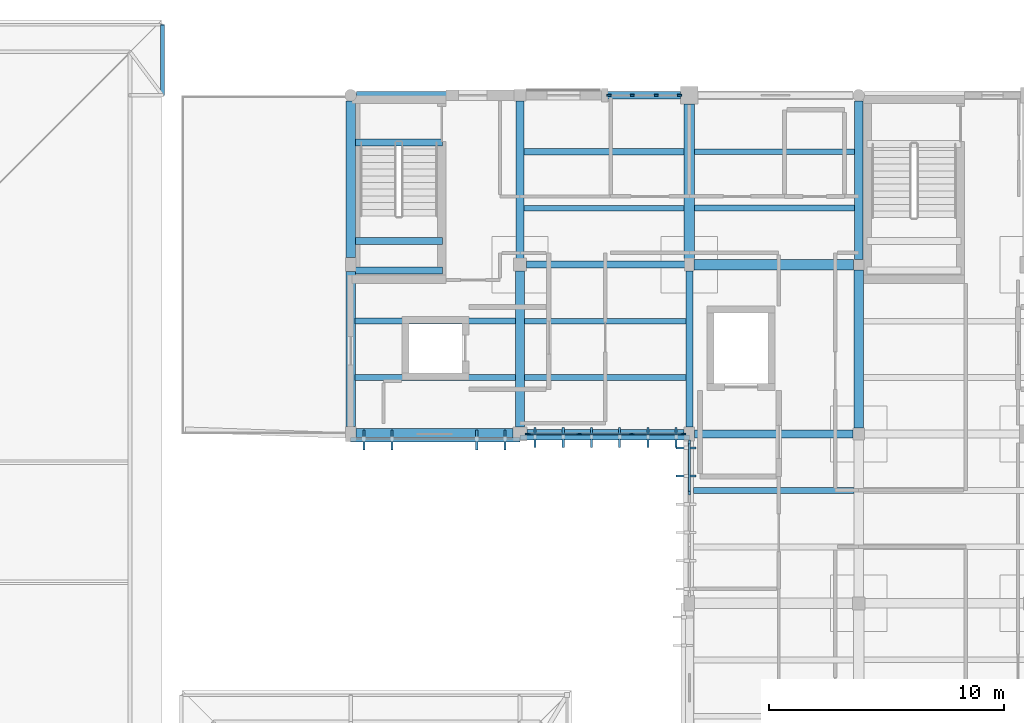
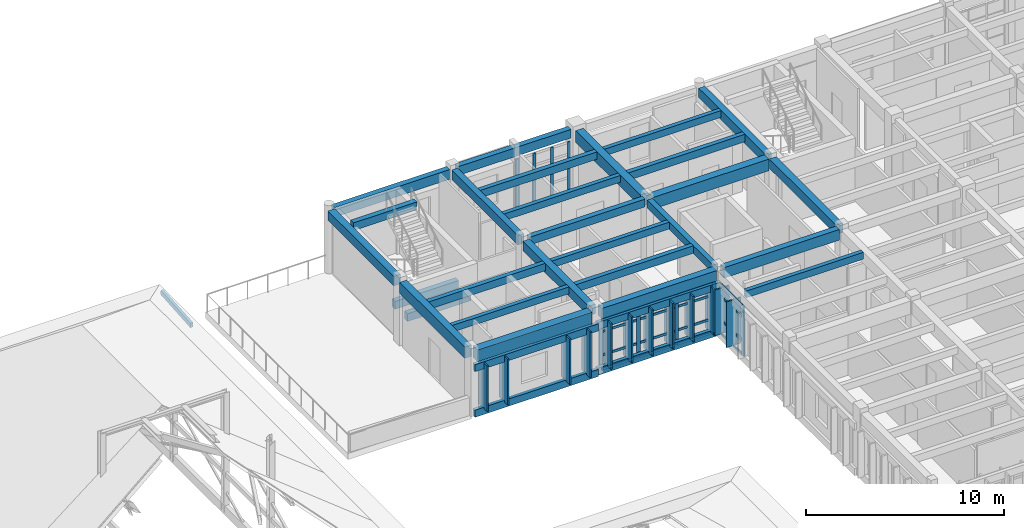
# One storey, part 12 of 51: 39 members, 31 beams, 3 elements without a shape of their own.
"""IFC4 building model written with IfcOpenShell, lengths in metres."""

import ifcopenshell
import ifcopenshell.guid

model = None  # the IFC model being written
_history = None  # IfcOwnerHistory: only IFC2X3 demands one
_inside = {}  # id of a spatial element -> (the spatial element, [elements in it])
_under = {}  # id of a project, library or spatial element -> (it, [spatial elements below it])
_declared = {}  # id of a project -> (the project, [libraries it declares])
_typed = {}  # id of a type object -> (the type object, [elements of that type])
_made_of = {}  # id of a material, layer set ... -> (it, [elements and type objects made of it])


def new_model(schema):
    """Start an empty IFC model of exactly this schema.

    Asked for "IFC4X3", IfcOpenShell would pick the latest addendum, in which some entities
    have other attributes; the version numbers below select the first issue.
    IFC2X3 requires an IfcOwnerHistory on every rooted entity: one is made here for all.
    """
    global model, _history
    if schema == "IFC4X3":
        model = ifcopenshell.file(schema_version=(4, 3, 0, 0))
    else:
        model = ifcopenshell.file(schema=schema)
    _inside.clear()
    _under.clear()
    _declared.clear()
    _typed.clear()
    _made_of.clear()
    _history = None
    if model.schema == "IFC2X3":
        org = make("IfcOrganization", Name="unknown")
        user = make(
            "IfcPersonAndOrganization",
            ThePerson=make("IfcPerson", FamilyName="unknown"),
            TheOrganization=org,
        )
        app = make(
            "IfcApplication",
            ApplicationDeveloper=org,
            Version="unknown",
            ApplicationFullName="unknown",
            ApplicationIdentifier="unknown",
        )
        _history = make(
            "IfcOwnerHistory",
            OwningUser=user,
            OwningApplication=app,
            ChangeAction="ADDED",
            CreationDate=0,
        )
    return model


def make(cls, **values):
    """One entity of the class cls with the attributes given. An attribute that is None is left unset."""
    return model.create_entity(
        cls, **{name: value for name, value in values.items() if value is not None}
    )


def rooted(cls, **values):
    """An entity with a GlobalId (a new one), such as an element, a storey or a relation."""
    return make(cls, GlobalId=ifcopenshell.guid.new(), OwnerHistory=_history, **values)


def si_unit(unit_type, name, prefix=None):
    """IfcSIUnit, for example si_unit("LENGTHUNIT", "METRE", prefix="MILLI")."""
    return make("IfcSIUnit", UnitType=unit_type, Prefix=prefix, Name=name)


def assignment(units):
    """IfcUnitAssignment: the units of a project."""
    return None if units is None else make("IfcUnitAssignment", Units=units)


def point(xyz):
    """IfcCartesianPoint."""
    return None if xyz is None else make("IfcCartesianPoint", Coordinates=xyz)


def direction(xyz):
    """IfcDirection."""
    return None if xyz is None else make("IfcDirection", DirectionRatios=xyz)


def frame(location, z_axis=None, x_axis=None):
    """IfcAxis2Placement3D, a coordinate frame: its origin and axes. An axis left out is left unset."""
    return make(
        "IfcAxis2Placement3D",
        Location=point(location),
        Axis=direction(z_axis),
        RefDirection=direction(x_axis),
    )


def frame_2d(location, x_axis=None):
    """IfcAxis2Placement2D, a coordinate frame in the plane: its origin and x axis."""
    return make(
        "IfcAxis2Placement2D", Location=point(location), RefDirection=direction(x_axis)
    )


def origin():
    """The frame at (0, 0, 0) with its axes left unset."""
    return frame((0.0, 0.0, 0.0))


def origin_2d():
    """The frame at (0, 0) in the plane with its x axis left unset."""
    return frame_2d((0.0, 0.0))


def place(relative_to, where):
    """IfcLocalPlacement: puts the frame where relative to a parent placement (None: the world)."""
    return make(
        "IfcLocalPlacement", PlacementRelTo=relative_to, RelativePlacement=where
    )


def context(
    kind, dimensions, precision=None, world=None, true_north=None, identifier=None
):
    """IfcGeometricRepresentationContext, for example the 3D "Model" context."""
    return make(
        "IfcGeometricRepresentationContext",
        ContextIdentifier=identifier,
        ContextType=kind,
        CoordinateSpaceDimension=dimensions,
        Precision=precision,
        WorldCoordinateSystem=world,
        TrueNorth=true_north,
    )


def subcontext(parent, identifier, kind, view, scale=None):
    """IfcGeometricRepresentationSubContext, for example "Body" below "Model"."""
    return make(
        "IfcGeometricRepresentationSubContext",
        ContextIdentifier=identifier,
        ContextType=kind,
        ParentContext=parent,
        TargetScale=scale,
        TargetView=view,
    )


def project(units=None, contexts=None):
    """IfcProject with its units and contexts."""
    return rooted(
        "IfcProject",
        Name="project",
        RepresentationContexts=contexts,
        UnitsInContext=assignment(units),
    )


def spatial(cls, under=None, at=None, **own):
    """A site, building, storey or space (cls), placed at a placement, below another one or the project."""
    s = rooted(cls, ObjectPlacement=at, **own)
    if under is not None:
        _under.setdefault(under.id(), (under, []))[1].append(s)
    return s


def profile(cls, at=None, kind="AREA", **sizes):
    """A parametric profile (cls). Its sizes go by their IFC names, for example OverallWidth=200.0."""
    return make(cls, ProfileType=kind, Position=at, **sizes)


def rectangle(**sizes):
    """IfcRectangleProfileDef."""
    return profile("IfcRectangleProfileDef", **sizes)


def extrude(swept, where, along, depth):
    """IfcExtrudedAreaSolid: the profile swept, set in the frame where, extruded along a direction by depth."""
    return make(
        "IfcExtrudedAreaSolid",
        SweptArea=swept,
        Position=where,
        ExtrudedDirection=direction(along),
        Depth=depth,
    )


def shape(context_of_items, identifier, shape_type, items):
    """IfcShapeRepresentation: the items that make up one representation, for example the "Body"."""
    return make(
        "IfcShapeRepresentation",
        ContextOfItems=context_of_items,
        RepresentationIdentifier=identifier,
        RepresentationType=shape_type,
        Items=items,
    )


def material(Name=None, Category=None):
    """IfcMaterial."""
    return make("IfcMaterial", Name=Name, Category=Category)


def material_profile(
    of_material, cross_section, Name=None, Category=None, Priority=None
):
    """IfcMaterialProfile: a cross section and its material."""
    return make(
        "IfcMaterialProfile",
        Name=Name,
        Material=of_material,
        Profile=cross_section,
        Priority=Priority,
        Category=Category,
    )


def profile_set(profiles, Name=None, composite=None):
    """IfcMaterialProfileSet."""
    return make(
        "IfcMaterialProfileSet",
        Name=Name,
        MaterialProfiles=profiles,
        CompositeProfile=composite,
    )


def made_of(thing, what):
    """Note that an element or type object is made of a material, layer set ...; save() writes the relation."""
    if what is not None:
        _made_of.setdefault(what.id(), (what, []))[1].append(thing)
    return thing


def type_object(cls, material=None, **own):
    """A type object (cls), such as IfcWallType, which elements share."""
    return made_of(rooted(cls, **own), material)


def element(
    cls,
    number,
    at=None,
    inside=None,
    cuts=None,
    type_object=None,
    material=None,
    context=None,
    identifier="Body",
    shape_type=None,
    held_by="IfcProductDefinitionShape",
    body=None,
    shapes=None,
    **own,
):
    """One element of the class cls, such as IfcWall. Its Tag is "e" and its number.

    at: its placement. inside: the storey or other place that contains it. cuts: it is an
    opening in that element (IfcRelVoidsElement). A single representation is given by context,
    identifier, shape_type and body (its items); several are given by shapes. held_by: the class
    of the entity that holds the representations. save() writes the other relations.
    """
    e = rooted(cls, Tag="e%d" % number, ObjectPlacement=at, **own)
    if body is not None:
        shapes = [shape(context, identifier, shape_type, body)]
    if shapes is not None:
        e.Representation = make(held_by, Representations=shapes)
    if inside is not None:
        _inside.setdefault(inside.id(), (inside, []))[1].append(e)
    if cuts is not None:
        rooted(
            "IfcRelVoidsElement", RelatingBuildingElement=cuts, RelatedOpeningElement=e
        )
    if type_object is not None:
        _typed.setdefault(type_object.id(), (type_object, []))[1].append(e)
    return made_of(e, material)


def aggregate(whole, parts):
    """IfcRelAggregates: a whole, such as a stair, and the parts it consists of."""
    return rooted("IfcRelAggregates", RelatingObject=whole, RelatedObjects=parts)


def save(model, path):
    """Write the relations noted so far, then the file.

    IfcRelAggregates (storeys below a building ...), IfcRelContainedInSpatialStructure (elements
    in a storey), IfcRelDefinesByType, IfcRelAssociatesMaterial and IfcRelDeclares: one each for
    every whole, place, type object, material and project.
    """
    for whole, parts in _under.values():
        aggregate(whole, parts)
    for where, things in _inside.values():
        rooted(
            "IfcRelContainedInSpatialStructure",
            RelatedElements=things,
            RelatingStructure=where,
        )
    for kind, things in _typed.values():
        rooted("IfcRelDefinesByType", RelatedObjects=things, RelatingType=kind)
    for what, things in _made_of.values():
        rooted("IfcRelAssociatesMaterial", RelatedObjects=things, RelatingMaterial=what)
    for by, libraries in _declared.values():
        rooted("IfcRelDeclares", RelatingContext=by, RelatedDefinitions=libraries)
    model.write(path)


model = new_model("IFC4")

# Units and contexts
model_context = context("Model", 3, precision=1e-05, world=origin(), true_north=direction((0.0, 1.0)))
body_context = subcontext(model_context, "Body", "Model", "MODEL_VIEW")
ifc_project = project(units=[si_unit("LENGTHUNIT", "METRE"), si_unit("AREAUNIT", "SQUARE_METRE"), si_unit("VOLUMEUNIT", "CUBIC_METRE"), si_unit("PLANEANGLEUNIT", "RADIAN"), si_unit("MASSUNIT", "GRAM", prefix="KILO")], contexts=[model_context])

# Site, building, storey
site_placement = place(None, origin())
site = spatial("IfcSite", under=ifc_project, at=site_placement, CompositionType="ELEMENT")
building_placement = place(site_placement, origin())
building = spatial("IfcBuilding", under=site, at=building_placement, Name="Steenspoor Specialist Clinic", CompositionType="ELEMENT")
storey_placement = place(building_placement, frame((0.0, 0.0, 17.39990234375)))
storey = spatial("IfcBuildingStorey", under=building, at=storey_placement, Name="L04", CompositionType="ELEMENT", Elevation=17.39990234375)

# Beams
ifc_material_1 = material(Name="Glulam GL28h", Category="wood")
ifc_material_profile_1 = material_profile(ifc_material_1, rectangle(XDim=0.199951171875, YDim=0.43994140625, at=origin_2d()), Name="GL28H-200X440")
ifc_profile_set_1 = profile_set([ifc_material_profile_1], Name="Glulam GL28h")
beam_type_1 = type_object("IfcBeamType", Name="BM-GL-200X440", PredefinedType="BEAM", material=ifc_profile_set_1)
for number, where, z_axis, x_axis, name in (
    (1, (74.0, 93.800048828125, 0.14013671875), (-1.0, 0.0, 0.0), (0.0, -1.0, 0.0), "Timber Screen Tie Rail V4 L04 45"),
    (2, (74.0, 93.800048828125, 2.9501953125), (-1.0, 0.0, 0.0), (0.0, -1.0, 0.0), "Timber Screen Tie Rail V4 L04 46"),
    (3, (66.800048828125, 93.699951171875, 0.14013671875), (-1.0, 0.0, 0.0), (0.0, -1.0, 0.0), "Timber Screen Tie Rail V4 L04 53"),
    (4, (66.800048828125, 93.699951171875, 2.9501953125), (-1.0, 0.0, 0.0), (0.0, -1.0, 0.0), "Timber Screen Tie Rail V4 L04 54"),
):
    element("IfcBeam", number, at=place(storey_placement, frame(where, z_axis=z_axis, x_axis=x_axis)), inside=storey, type_object=beam_type_1, Name=name, PredefinedType="BEAM", context=body_context, shape_type="SweptSolid", body=[
        extrude(rectangle(XDim=0.199951171875, YDim=0.43994140625, at=origin_2d()), origin(), (0.0, 0.0, 1.0), 7.199951171875),
    ])
ifc_material_2 = material(Name="Concrete C35/45", Category="concrete")
ifc_material_profile_2 = material_profile(ifc_material_2, rectangle(XDim=0.300048828125, YDim=0.47998046875, at=origin_2d()), Name="RC-BM-300X480")
ifc_profile_set_2 = profile_set([ifc_material_profile_2], Name="Concrete C35/45")
beam_type_2 = type_object("IfcBeamType", Name="BM-RC-300X480", PredefinedType="BEAM", material=ifc_profile_set_2)
for number, where, z_axis, x_axis, name in (
    (5, (59.800048828125, 102.14990234375, 1.66015625), (1.0, 0.0, 0.0), (0.0, 1.0, 0.0), "Stair Mid-Landing Bearer 1 ST-V4A L04"),
    (6, (59.800048828125, 100.89990234375, 1.66015625), (1.0, 0.0, 0.0), (0.0, 1.0, 0.0), "Stair Mid-Landing Bearer 2 ST-V4A L04"),
    (7, (59.800048828125, 106.35009765625, 3.960205078125), (1.0, 0.0, 0.0), (0.0, 1.0, 0.0), "Stair Well Trimmer Beam ST-V4A L04"),
):
    element("IfcBeam", number, at=place(storey_placement, frame(where, z_axis=z_axis, x_axis=x_axis)), inside=storey, type_object=beam_type_2, Name=name, PredefinedType="BEAM", context=body_context, shape_type="SweptSolid", body=[
        extrude(rectangle(XDim=0.300048828125, YDim=0.47998046875, at=origin_2d()), origin(), (0.0, 0.0, 1.0), 3.699951171875),
    ])
beam_1_placement = place(storey_placement, frame((67.070068359375, 101.14990234375, 3.68017578125), z_axis=(1.0, 0.0, 0.0), x_axis=(0.0, 1.0, 0.0)))
element("IfcBeam", 8, at=beam_1_placement, inside=storey, type_object=beam_type_2, Name="BM-V4-L04-X0927", PredefinedType="BEAM", context=body_context, shape_type="SweptSolid", body=[
    extrude(rectangle(XDim=0.300048828125, YDim=0.47998046875, at=origin_2d()), origin(), (0.0, 0.0, 1.0), 6.73486328125),
])
beam_2_placement = place(storey_placement, frame((74.0, 94.2451171875, 3.68017578125), z_axis=(0.0, 1.0, 0.0), x_axis=(-1.0, 0.0, 0.0)))
element("IfcBeam", 9, at=beam_2_placement, inside=storey, type_object=beam_type_2, Name="BM-V4-L04-Y0945", PredefinedType="BEAM", context=body_context, shape_type="SweptSolid", body=[
    extrude(rectangle(XDim=0.300048828125, YDim=0.47998046875, at=origin_2d()), origin(), (0.0, 0.0, 1.0), 6.634765625),
])
ifc_material_profile_3 = material_profile(ifc_material_2, rectangle(XDim=0.35009765625, YDim=0.580078125, at=origin_2d()), Name="RC-BM-350X580")
ifc_profile_set_3 = profile_set([ifc_material_profile_3], Name="Concrete C35/45")
beam_type_3 = type_object("IfcBeamType", Name="BM-RC-350X580", PredefinedType="BEAM", material=ifc_profile_set_3)
beam_3_placement = place(storey_placement, frame((66.800048828125, 101.419921875, 3.630126953125), z_axis=(0.0, 1.0, 0.0), x_axis=(-1.0, 0.0, 0.0)))
element("IfcBeam", 10, at=beam_3_placement, inside=storey, type_object=beam_type_3, Name="BM-V4-L04-Y0941", PredefinedType="BEAM", context=body_context, shape_type="SweptSolid", body=[
    extrude(rectangle(XDim=0.35009765625, YDim=0.580078125, at=origin_2d()), origin(), (0.0, 0.0, 1.0), 6.68505859375),
])
beam_4_placement = place(storey_placement, frame((81.199951171875, 101.3701171875, 3.630126953125), z_axis=(0.0, 1.0, 0.0), x_axis=(-1.0, 0.0, 0.0)))
element("IfcBeam", 11, at=beam_4_placement, inside=storey, type_object=beam_type_3, Name="BM-V4-L04-Y0951", PredefinedType="BEAM", context=body_context, shape_type="SweptSolid", body=[
    extrude(rectangle(XDim=0.35009765625, YDim=0.580078125, at=origin_2d()), origin(), (0.0, 0.0, 1.0), 6.73486328125),
])
ifc_material_profile_4 = material_profile(ifc_material_2, rectangle(XDim=0.35009765625, YDim=0.64990234375, at=origin_2d()), Name="RC-BM-350X650")
ifc_profile_set_4 = profile_set([ifc_material_profile_4], Name="Concrete C35/45")
beam_type_4 = type_object("IfcBeamType", Name="BM-RC-350X650", PredefinedType="BEAM", material=ifc_profile_set_4)
beam_5_placement = place(storey_placement, frame((74.219970703125, 93.949951171875, 3.59521484375), z_axis=(1.0, 0.0, 0.0), x_axis=(0.0, 1.0, 0.0)))
element("IfcBeam", 12, at=beam_5_placement, inside=storey, type_object=beam_type_4, Name="BM-V4-L04-X0922", PredefinedType="BEAM", context=body_context, shape_type="SweptSolid", body=[
    extrude(rectangle(XDim=0.35009765625, YDim=0.64990234375, at=origin_2d()), origin(), (0.0, 0.0, 1.0), 6.735107421875),
])
ifc_material_profile_5 = material_profile(ifc_material_2, rectangle(XDim=0.39990234375, YDim=0.580078125, at=origin_2d()), Name="RC-BM-400X580")
ifc_profile_set_5 = profile_set([ifc_material_profile_5], Name="Concrete C35/45")
beam_type_5 = type_object("IfcBeamType", Name="BM-RC-400X580", PredefinedType="BEAM", material=ifc_profile_set_5)
beam_6_placement = place(storey_placement, frame((59.60009765625, 101.445068359375, 3.630126953125), z_axis=(0.0, 1.0, 0.0), x_axis=(-1.0, 0.0, 0.0)))
element("IfcBeam", 13, at=beam_6_placement, inside=storey, type_object=beam_type_5, Name="BM-V4-L04-Y0939", PredefinedType="BEAM", context=body_context, shape_type="SweptSolid", body=[
    extrude(rectangle(XDim=0.39990234375, YDim=0.580078125, at=origin_2d()), origin(), (0.0, 0.0, 1.0), 6.659912109375),
])
beam_7_placement = place(storey_placement, frame((66.800048828125, 94.2451171875, 3.630126953125), z_axis=(0.0, 1.0, 0.0), x_axis=(-1.0, 0.0, 0.0)))
element("IfcBeam", 14, at=beam_7_placement, inside=storey, type_object=beam_type_5, Name="BM-V4-L04-Y0940", PredefinedType="BEAM", context=body_context, shape_type="SweptSolid", body=[
    extrude(rectangle(XDim=0.39990234375, YDim=0.580078125, at=origin_2d()), origin(), (0.0, 0.0, 1.0), 6.634765625),
])
beam_8_placement = place(storey_placement, frame((81.199951171875, 94.195068359375, 3.630126953125), z_axis=(0.0, 1.0, 0.0), x_axis=(-1.0, 0.0, 0.0)))
element("IfcBeam", 15, at=beam_8_placement, inside=storey, type_object=beam_type_5, Name="BM-V4-L04-Y0950", PredefinedType="BEAM", context=body_context, shape_type="SweptSolid", body=[
    extrude(rectangle(XDim=0.39990234375, YDim=0.580078125, at=origin_2d()), origin(), (0.0, 0.0, 1.0), 6.73486328125),
])
ifc_material_profile_6 = material_profile(ifc_material_2, rectangle(XDim=0.39990234375, YDim=0.64990234375, at=origin_2d()), Name="RC-BM-400X650")
ifc_profile_set_6 = profile_set([ifc_material_profile_6], Name="Concrete C35/45")
beam_type_6 = type_object("IfcBeamType", Name="BM-RC-400X650", PredefinedType="BEAM", material=ifc_profile_set_6)
beam_9_placement = place(storey_placement, frame((67.094970703125, 93.949951171875, 3.59521484375), z_axis=(1.0, 0.0, 0.0), x_axis=(0.0, 1.0, 0.0)))
element("IfcBeam", 16, at=beam_9_placement, inside=storey, type_object=beam_type_6, Name="BM-V4-L04-X0921", PredefinedType="BEAM", context=body_context, shape_type="SweptSolid", body=[
    extrude(rectangle(XDim=0.39990234375, YDim=0.64990234375, at=origin_2d()), origin(), (0.0, 0.0, 1.0), 6.68505859375),
])
ifc_material_profile_7 = material_profile(ifc_material_2, rectangle(XDim=0.39990234375, YDim=0.699951171875, at=origin_2d()), Name="RC-BM-400X700")
ifc_profile_set_7 = profile_set([ifc_material_profile_7], Name="Concrete C35/45")
beam_type_7 = type_object("IfcBeamType", Name="BM-RC-400X700", PredefinedType="BEAM", material=ifc_profile_set_7)
beam_10_placement = place(storey_placement, frame((59.60009765625, 94.27001953125, 3.570068359375), z_axis=(0.0, 1.0, 0.0), x_axis=(-1.0, 0.0, 0.0)))
element("IfcBeam", 17, at=beam_10_placement, inside=storey, type_object=beam_type_7, Name="BM-V4-L04-Y0938", PredefinedType="BEAM", context=body_context, shape_type="SweptSolid", body=[
    extrude(rectangle(XDim=0.39990234375, YDim=0.699951171875, at=origin_2d()), origin(), (0.0, 0.0, 1.0), 6.5849609375),
])
ifc_material_profile_8 = material_profile(ifc_material_2, rectangle(XDim=0.449951171875, YDim=0.719970703125, at=origin_2d()), Name="RC-BM-450X720")
ifc_profile_set_8 = profile_set([ifc_material_profile_8], Name="Concrete C35/45")
beam_type_8 = type_object("IfcBeamType", Name="BM-RC-450X720", PredefinedType="BEAM", material=ifc_profile_set_8)
beam_11_placement = place(storey_placement, frame((59.820068359375, 93.949951171875, 3.56005859375), z_axis=(1.0, 0.0, 0.0), x_axis=(0.0, 1.0, 0.0)))
element("IfcBeam", 18, at=beam_11_placement, inside=storey, type_object=beam_type_8, Name="BM-V4-L04-X0920", PredefinedType="BEAM", context=body_context, shape_type="SweptSolid", body=[
    extrude(rectangle(XDim=0.449951171875, YDim=0.719970703125, at=origin_2d()), origin(), (0.0, 0.0, 1.0), 6.684814453125),
])
beam_12_placement = place(storey_placement, frame((74.195068359375, 101.14990234375, 3.56005859375), z_axis=(1.0, 0.0, 0.0), x_axis=(0.0, 1.0, 0.0)))
element("IfcBeam", 19, at=beam_12_placement, inside=storey, type_object=beam_type_8, Name="BM-V4-L04-X0928", PredefinedType="BEAM", context=body_context, shape_type="SweptSolid", body=[
    extrude(rectangle(XDim=0.449951171875, YDim=0.719970703125, at=origin_2d()), origin(), (0.0, 0.0, 1.0), 6.784912109375),
])
beam_13_placement = place(storey_placement, frame((74.0, 101.419921875, 3.56005859375), z_axis=(0.0, 1.0, 0.0), x_axis=(-1.0, 0.0, 0.0)))
element("IfcBeam", 20, at=beam_13_placement, inside=storey, type_object=beam_type_8, Name="BM-V4-L04-Y0946", PredefinedType="BEAM", context=body_context, shape_type="SweptSolid", body=[
    extrude(rectangle(XDim=0.449951171875, YDim=0.719970703125, at=origin_2d()), origin(), (0.0, 0.0, 1.0), 6.56005859375),
])

# Curtain wall, members
ifc_material_3 = material(Name="Thermally broken aluminium and low-emissivity glass", Category="aluminium")
curtain_wall_type_1 = type_object("IfcCurtainWallType", Name="CW-L00-360X415", PredefinedType="USERDEFINED", material=ifc_material_3)
curtain_wall_1_placement = place(storey_placement, origin())
curtain_wall_1 = element("IfcCurtainWall", 21, at=curtain_wall_1_placement, inside=storey, type_object=curtain_wall_type_1, Name="Unitised Curtain Wall CW-V4-L04-127", ObjectType="UNITISED GLAZING", PredefinedType="USERDEFINED")
ifc_material_4 = material(Name="Thermally broken aluminium 6063-T6", Category="aluminium")
ifc_material_profile_9 = material_profile(ifc_material_4, rectangle(XDim=0.080078125, YDim=0.179931640625, at=origin_2d()), Name="CWM-80X180")
ifc_profile_set_9 = profile_set([ifc_material_profile_9], Name="Thermally broken aluminium 6063-T6")
member_type_1 = type_object("IfcMemberType", Name="CW-MULL-80X180", PredefinedType="MULLION", material=ifc_profile_set_9)
member_1_placement = place(storey_placement, frame((70.580078125, 108.35009765625, 0.0), z_axis=(0.0, 0.0, 1.0), x_axis=(0.0, 1.0, 0.0)))
member_1 = element("IfcMember", 22, at=member_1_placement, type_object=member_type_1, Name="CW-07 mullion 1", PredefinedType="MULLION", context=body_context, shape_type="SweptSolid", body=[
    extrude(rectangle(XDim=0.080078125, YDim=0.179931640625, at=origin_2d()), origin(), (0.0, 0.0, 1.0), 3.10009765625),
])
member_2_placement = place(storey_placement, frame((71.568359375, 108.35009765625, 0.0), z_axis=(0.0, 0.0, 1.0), x_axis=(0.0, 1.0, 0.0)))
member_2 = element("IfcMember", 23, at=member_2_placement, type_object=member_type_1, Name="CW-07 mullion 2", PredefinedType="MULLION", context=body_context, shape_type="SweptSolid", body=[
    extrude(rectangle(XDim=0.080078125, YDim=0.179931640625, at=origin_2d()), origin(), (0.0, 0.0, 1.0), 3.10009765625),
])
member_3_placement = place(storey_placement, frame((72.5966796875, 108.35009765625, 0.0), z_axis=(0.0, 0.0, 1.0), x_axis=(0.0, 1.0, 0.0)))
member_3 = element("IfcMember", 24, at=member_3_placement, type_object=member_type_1, Name="CW-07 mullion 3", PredefinedType="MULLION", context=body_context, shape_type="SweptSolid", body=[
    extrude(rectangle(XDim=0.080078125, YDim=0.179931640625, at=origin_2d()), origin(), (0.0, 0.0, 1.0), 3.10009765625),
])
member_4_placement = place(storey_placement, frame((73.5849609375, 108.35009765625, 0.0), z_axis=(0.0, 0.0, 1.0), x_axis=(0.0, 1.0, 0.0)))
member_4 = element("IfcMember", 25, at=member_4_placement, type_object=member_type_1, Name="CW-07 mullion 4", PredefinedType="MULLION", context=body_context, shape_type="SweptSolid", body=[
    extrude(rectangle(XDim=0.080078125, YDim=0.179931640625, at=origin_2d()), origin(), (0.0, 0.0, 1.0), 3.10009765625),
])
aggregate(curtain_wall_1, [member_1, member_2, member_3, member_4])

curtain_wall_type_2 = type_object("IfcCurtainWallType", Name="CW-L00-480X415", PredefinedType="USERDEFINED", material=ifc_material_3)
curtain_wall_2_placement = place(storey_placement, origin())
curtain_wall_2 = element("IfcCurtainWall", 26, at=curtain_wall_2_placement, inside=storey, type_object=curtain_wall_type_2, Name="Unitised Curtain Wall CW-V4-L04-126", ObjectType="UNITISED GLAZING", PredefinedType="USERDEFINED")
ifc_material_profile_10 = material_profile(ifc_material_4, rectangle(XDim=0.080078125, YDim=0.219970703125, at=origin_2d()), Name="CWM-80X220")
ifc_profile_set_10 = profile_set([ifc_material_profile_10], Name="Thermally broken aluminium 6063-T6")
member_type_2 = type_object("IfcMemberType", Name="CW-MULL-80X220", PredefinedType="MULLION", material=ifc_profile_set_10)
member_5_placement = place(storey_placement, frame((73.735107421875, 93.949951171875, 0.0), z_axis=(0.0, 0.0, 1.0), x_axis=(0.0, -1.0, 0.0)))
member_5 = element("IfcMember", 27, at=member_5_placement, type_object=member_type_2, Name="CW-06 mullion 1", PredefinedType="MULLION", context=body_context, shape_type="SweptSolid", body=[
    extrude(rectangle(XDim=0.080078125, YDim=0.219970703125, at=origin_2d()), origin(), (0.0, 0.0, 1.0), 3.10009765625),
])
member_6_placement = place(storey_placement, frame((71.550048828125, 93.949951171875, 0.0), z_axis=(0.0, 0.0, 1.0), x_axis=(0.0, -1.0, 0.0)))
member_6 = element("IfcMember", 28, at=member_6_placement, type_object=member_type_2, Name="CW-06 mullion 2", PredefinedType="MULLION", context=body_context, shape_type="SweptSolid", body=[
    extrude(rectangle(XDim=0.080078125, YDim=0.219970703125, at=origin_2d()), origin(), (0.0, 0.0, 1.0), 3.10009765625),
])
member_7_placement = place(storey_placement, frame((69.324951171875, 93.949951171875, 0.0), z_axis=(0.0, 0.0, 1.0), x_axis=(0.0, -1.0, 0.0)))
member_7 = element("IfcMember", 29, at=member_7_placement, type_object=member_type_2, Name="CW-06 mullion 3", PredefinedType="MULLION", context=body_context, shape_type="SweptSolid", body=[
    extrude(rectangle(XDim=0.080078125, YDim=0.219970703125, at=origin_2d()), origin(), (0.0, 0.0, 1.0), 3.10009765625),
])
member_8_placement = place(storey_placement, frame((67.139892578125, 93.949951171875, 0.0), z_axis=(0.0, 0.0, 1.0), x_axis=(0.0, -1.0, 0.0)))
member_8 = element("IfcMember", 30, at=member_8_placement, type_object=member_type_2, Name="CW-06 mullion 4", PredefinedType="MULLION", context=body_context, shape_type="SweptSolid", body=[
    extrude(rectangle(XDim=0.080078125, YDim=0.219970703125, at=origin_2d()), origin(), (0.0, 0.0, 1.0), 3.10009765625),
])

curtain_wall_type_3 = type_object("IfcCurtainWallType", Name="CW-L00-650X415", PredefinedType="USERDEFINED", material=ifc_material_3)
curtain_wall_3_placement = place(storey_placement, origin())
curtain_wall_3 = element("IfcCurtainWall", 31, at=curtain_wall_3_placement, inside=storey, type_object=curtain_wall_type_3, Name="Unitised Curtain Wall CW-V4-L04-125", ObjectType="UNITISED GLAZING", PredefinedType="USERDEFINED")
ifc_material_profile_11 = material_profile(ifc_material_4, rectangle(XDim=0.090087890625, YDim=0.199951171875, at=origin_2d()), Name="CWM-90X200")
ifc_profile_set_11 = profile_set([ifc_material_profile_11], Name="Thermally broken aluminium 6063-T6")
member_type_3 = type_object("IfcMemberType", Name="CW-MULL-90X200", PredefinedType="MULLION", material=ifc_profile_set_11)
member_9_placement = place(storey_placement, frame((74.0, 91.458251953125, 0.0), z_axis=(0.0, 0.0, 1.0), x_axis=(-1.0, 0.0, 0.0)))
member_9 = element("IfcMember", 32, at=member_9_placement, type_object=member_type_3, Name="CW-05 mullion 3", PredefinedType="MULLION", context=body_context, shape_type="SweptSolid", body=[
    extrude(rectangle(XDim=0.090087890625, YDim=0.199951171875, at=origin_2d()), origin(), (0.0, 0.0, 1.0), 3.10009765625),
])
member_10_placement = place(storey_placement, frame((74.0, 93.60498046875, 0.0), z_axis=(0.0, 0.0, 1.0), x_axis=(-1.0, 0.0, 0.0)))
member_10 = element("IfcMember", 33, at=member_10_placement, type_object=member_type_3, Name="CW-05 mullion 4", PredefinedType="MULLION", context=body_context, shape_type="SweptSolid", body=[
    extrude(rectangle(XDim=0.090087890625, YDim=0.199951171875, at=origin_2d()), origin(), (0.0, 0.0, 1.0), 3.10009765625),
])

# Member
ifc_material_profile_12 = material_profile(ifc_material_4, rectangle(XDim=0.070068359375, YDim=0.14501953125, at=origin_2d()), Name="CWT-70X145")
ifc_profile_set_12 = profile_set([ifc_material_profile_12], Name="Thermally broken aluminium 6063-T6")
member_type_4 = type_object("IfcMemberType", Name="CW-TRAN-70X145", PredefinedType="USERDEFINED", material=ifc_profile_set_12)
member_11_placement = place(storey_placement, frame((73.695068359375, 93.949951171875, 0.03515625), z_axis=(-1.0, 0.0, 0.0), x_axis=(0.0, -1.0, 0.0)))
member_11 = element("IfcMember", 34, at=member_11_placement, type_object=member_type_4, Name="CW-06 transom 1.1", ObjectType="TRANSOM", PredefinedType="USERDEFINED", context=body_context, shape_type="SweptSolid", body=[
    extrude(rectangle(XDim=0.070068359375, YDim=0.14501953125, at=origin_2d()), origin(), (0.0, 0.0, 1.0), 2.10498046875),
])

member_12_placement = place(storey_placement, frame((73.695068359375, 93.949951171875, 0.900146484375), z_axis=(-1.0, 0.0, 0.0), x_axis=(0.0, -1.0, 0.0)))
member_12 = element("IfcMember", 35, at=member_12_placement, type_object=member_type_4, Name="CW-06 transom 1.2", ObjectType="TRANSOM", PredefinedType="USERDEFINED", context=body_context, shape_type="SweptSolid", body=[
    extrude(rectangle(XDim=0.070068359375, YDim=0.14501953125, at=origin_2d()), origin(), (0.0, 0.0, 1.0), 2.10498046875),
])

member_13_placement = place(storey_placement, frame((73.695068359375, 93.949951171875, 2.35009765625), z_axis=(-1.0, 0.0, 0.0), x_axis=(0.0, -1.0, 0.0)))
member_13 = element("IfcMember", 36, at=member_13_placement, type_object=member_type_4, Name="CW-06 transom 1.3", ObjectType="TRANSOM", PredefinedType="USERDEFINED", context=body_context, shape_type="SweptSolid", body=[
    extrude(rectangle(XDim=0.070068359375, YDim=0.14501953125, at=origin_2d()), origin(), (0.0, 0.0, 1.0), 2.10498046875),
])

member_14_placement = place(storey_placement, frame((73.695068359375, 93.949951171875, 3.065185546875), z_axis=(-1.0, 0.0, 0.0), x_axis=(0.0, -1.0, 0.0)))
member_14 = element("IfcMember", 37, at=member_14_placement, type_object=member_type_4, Name="CW-06 transom 1.4", ObjectType="TRANSOM", PredefinedType="USERDEFINED", context=body_context, shape_type="SweptSolid", body=[
    extrude(rectangle(XDim=0.070068359375, YDim=0.14501953125, at=origin_2d()), origin(), (0.0, 0.0, 1.0), 2.10498046875),
])

member_15_placement = place(storey_placement, frame((71.510009765625, 93.949951171875, 0.03515625), z_axis=(-1.0, 0.0, 0.0), x_axis=(0.0, -1.0, 0.0)))
member_15 = element("IfcMember", 38, at=member_15_placement, type_object=member_type_4, Name="CW-06 transom 2.1", ObjectType="TRANSOM", PredefinedType="USERDEFINED", context=body_context, shape_type="SweptSolid", body=[
    extrude(rectangle(XDim=0.070068359375, YDim=0.14501953125, at=origin_2d()), origin(), (0.0, 0.0, 1.0), 2.14501953125),
])

member_16_placement = place(storey_placement, frame((71.510009765625, 93.949951171875, 0.900146484375), z_axis=(-1.0, 0.0, 0.0), x_axis=(0.0, -1.0, 0.0)))
member_16 = element("IfcMember", 39, at=member_16_placement, type_object=member_type_4, Name="CW-06 transom 2.2", ObjectType="TRANSOM", PredefinedType="USERDEFINED", context=body_context, shape_type="SweptSolid", body=[
    extrude(rectangle(XDim=0.070068359375, YDim=0.14501953125, at=origin_2d()), origin(), (0.0, 0.0, 1.0), 2.14501953125),
])

member_17_placement = place(storey_placement, frame((71.510009765625, 93.949951171875, 2.35009765625), z_axis=(-1.0, 0.0, 0.0), x_axis=(0.0, -1.0, 0.0)))
member_17 = element("IfcMember", 40, at=member_17_placement, type_object=member_type_4, Name="CW-06 transom 2.3", ObjectType="TRANSOM", PredefinedType="USERDEFINED", context=body_context, shape_type="SweptSolid", body=[
    extrude(rectangle(XDim=0.070068359375, YDim=0.14501953125, at=origin_2d()), origin(), (0.0, 0.0, 1.0), 2.14501953125),
])

member_18_placement = place(storey_placement, frame((71.510009765625, 93.949951171875, 3.065185546875), z_axis=(-1.0, 0.0, 0.0), x_axis=(0.0, -1.0, 0.0)))
member_18 = element("IfcMember", 41, at=member_18_placement, type_object=member_type_4, Name="CW-06 transom 2.4", ObjectType="TRANSOM", PredefinedType="USERDEFINED", context=body_context, shape_type="SweptSolid", body=[
    extrude(rectangle(XDim=0.070068359375, YDim=0.14501953125, at=origin_2d()), origin(), (0.0, 0.0, 1.0), 2.14501953125),
])

member_19_placement = place(storey_placement, frame((69.284912109375, 93.949951171875, 0.03515625), z_axis=(-1.0, 0.0, 0.0), x_axis=(0.0, -1.0, 0.0)))
member_19 = element("IfcMember", 42, at=member_19_placement, type_object=member_type_4, Name="CW-06 transom 3.1", ObjectType="TRANSOM", PredefinedType="USERDEFINED", context=body_context, shape_type="SweptSolid", body=[
    extrude(rectangle(XDim=0.070068359375, YDim=0.14501953125, at=origin_2d()), origin(), (0.0, 0.0, 1.0), 2.10498046875),
])

member_20_placement = place(storey_placement, frame((69.284912109375, 93.949951171875, 0.900146484375), z_axis=(-1.0, 0.0, 0.0), x_axis=(0.0, -1.0, 0.0)))
member_20 = element("IfcMember", 43, at=member_20_placement, type_object=member_type_4, Name="CW-06 transom 3.2", ObjectType="TRANSOM", PredefinedType="USERDEFINED", context=body_context, shape_type="SweptSolid", body=[
    extrude(rectangle(XDim=0.070068359375, YDim=0.14501953125, at=origin_2d()), origin(), (0.0, 0.0, 1.0), 2.10498046875),
])

member_21_placement = place(storey_placement, frame((69.284912109375, 93.949951171875, 2.35009765625), z_axis=(-1.0, 0.0, 0.0), x_axis=(0.0, -1.0, 0.0)))
member_21 = element("IfcMember", 44, at=member_21_placement, type_object=member_type_4, Name="CW-06 transom 3.3", ObjectType="TRANSOM", PredefinedType="USERDEFINED", context=body_context, shape_type="SweptSolid", body=[
    extrude(rectangle(XDim=0.070068359375, YDim=0.14501953125, at=origin_2d()), origin(), (0.0, 0.0, 1.0), 2.10498046875),
])

member_22_placement = place(storey_placement, frame((69.284912109375, 93.949951171875, 3.065185546875), z_axis=(-1.0, 0.0, 0.0), x_axis=(0.0, -1.0, 0.0)))
member_22 = element("IfcMember", 45, at=member_22_placement, type_object=member_type_4, Name="CW-06 transom 3.4", ObjectType="TRANSOM", PredefinedType="USERDEFINED", context=body_context, shape_type="SweptSolid", body=[
    extrude(rectangle(XDim=0.070068359375, YDim=0.14501953125, at=origin_2d()), origin(), (0.0, 0.0, 1.0), 2.10498046875),
])

aggregate(curtain_wall_2, [member_5, member_6, member_7, member_8, member_11, member_12, member_13, member_14, member_15, member_16, member_17, member_18, member_19, member_20, member_21, member_22])

ifc_material_profile_13 = material_profile(ifc_material_4, rectangle(XDim=0.080078125, YDim=0.159912109375, at=origin_2d()), Name="CWT-80X160")
ifc_profile_set_13 = profile_set([ifc_material_profile_13], Name="Thermally broken aluminium 6063-T6")
member_type_5 = type_object("IfcMemberType", Name="CW-TRAN-80X160", PredefinedType="USERDEFINED", material=ifc_profile_set_13)
member_23_placement = place(storey_placement, frame((74.0, 91.50341796875, 0.0400390625), z_axis=(0.0, 1.0, 0.0), x_axis=(-1.0, 0.0, 0.0)))
member_23 = element("IfcMember", 46, at=member_23_placement, type_object=member_type_5, Name="CW-05 transom 3.1", ObjectType="TRANSOM", PredefinedType="USERDEFINED", context=body_context, shape_type="SweptSolid", body=[
    extrude(rectangle(XDim=0.080078125, YDim=0.159912109375, at=origin_2d()), origin(), (0.0, 0.0, 1.0), 2.056640625),
])

member_24_placement = place(storey_placement, frame((74.0, 91.50341796875, 0.900146484375), z_axis=(0.0, 1.0, 0.0), x_axis=(-1.0, 0.0, 0.0)))
member_24 = element("IfcMember", 47, at=member_24_placement, type_object=member_type_5, Name="CW-05 transom 3.2", ObjectType="TRANSOM", PredefinedType="USERDEFINED", context=body_context, shape_type="SweptSolid", body=[
    extrude(rectangle(XDim=0.080078125, YDim=0.159912109375, at=origin_2d()), origin(), (0.0, 0.0, 1.0), 2.056640625),
])

member_25_placement = place(storey_placement, frame((74.0, 91.50341796875, 2.35009765625), z_axis=(0.0, 1.0, 0.0), x_axis=(-1.0, 0.0, 0.0)))
member_25 = element("IfcMember", 48, at=member_25_placement, type_object=member_type_5, Name="CW-05 transom 3.3", ObjectType="TRANSOM", PredefinedType="USERDEFINED", context=body_context, shape_type="SweptSolid", body=[
    extrude(rectangle(XDim=0.080078125, YDim=0.159912109375, at=origin_2d()), origin(), (0.0, 0.0, 1.0), 2.056640625),
])

member_26_placement = place(storey_placement, frame((74.0, 91.50341796875, 3.06005859375), z_axis=(0.0, 1.0, 0.0), x_axis=(-1.0, 0.0, 0.0)))
member_26 = element("IfcMember", 49, at=member_26_placement, type_object=member_type_5, Name="CW-05 transom 3.4", ObjectType="TRANSOM", PredefinedType="USERDEFINED", context=body_context, shape_type="SweptSolid", body=[
    extrude(rectangle(XDim=0.080078125, YDim=0.159912109375, at=origin_2d()), origin(), (0.0, 0.0, 1.0), 2.056640625),
])

aggregate(curtain_wall_3, [member_9, member_10, member_23, member_24, member_25, member_26])

# Beams
ifc_material_profile_14 = material_profile(ifc_material_2, rectangle(XDim=0.239990234375, YDim=0.419921875, at=origin_2d()), Name="RC-JT-240X420")
ifc_profile_set_14 = profile_set([ifc_material_profile_14], Name="Concrete C35/45")
beam_type_9 = type_object("IfcBeamType", Name="JT-RC-240X420", PredefinedType="JOIST", material=ifc_profile_set_14)
beam_14_placement = place(storey_placement, frame((59.794921875, 96.35009765625, 3.710205078125), z_axis=(1.0, 0.0, 0.0), x_axis=(0.0, 1.0, 0.0)))
element("IfcBeam", 50, at=beam_14_placement, inside=storey, type_object=beam_type_9, Name="JT-V4-L04-0966", PredefinedType="JOIST", context=body_context, shape_type="SweptSolid", body=[
    extrude(rectangle(XDim=0.239990234375, YDim=0.419921875, at=origin_2d()), origin(), (0.0, 0.0, 1.0), 6.81005859375),
])
beam_15_placement = place(storey_placement, frame((66.9951171875, 98.75, 3.710205078125), z_axis=(1.0, 0.0, 0.0), x_axis=(0.0, 1.0, 0.0)))
element("IfcBeam", 51, at=beam_15_placement, inside=storey, type_object=beam_type_9, Name="JT-V4-L04-0969", PredefinedType="JOIST", context=body_context, shape_type="SweptSolid", body=[
    extrude(rectangle(XDim=0.239990234375, YDim=0.419921875, at=origin_2d()), origin(), (0.0, 0.0, 1.0), 6.85986328125),
])
beam_16_placement = place(storey_placement, frame((66.969970703125, 103.550048828125, 3.710205078125), z_axis=(1.0, 0.0, 0.0), x_axis=(0.0, 1.0, 0.0)))
element("IfcBeam", 52, at=beam_16_placement, inside=storey, type_object=beam_type_9, Name="JT-V4-L04-0970", PredefinedType="JOIST", context=body_context, shape_type="SweptSolid", body=[
    extrude(rectangle(XDim=0.239990234375, YDim=0.419921875, at=origin_2d()), origin(), (0.0, 0.0, 1.0), 6.81005859375),
])
beam_17_placement = place(storey_placement, frame((74.169921875, 91.550048828125, 3.710205078125), z_axis=(1.0, 0.0, 0.0), x_axis=(0.0, 1.0, 0.0)))
element("IfcBeam", 53, at=beam_17_placement, inside=storey, type_object=beam_type_9, Name="JT-V4-L04-0977", PredefinedType="JOIST", context=body_context, shape_type="SweptSolid", body=[
    extrude(rectangle(XDim=0.239990234375, YDim=0.419921875, at=origin_2d()), origin(), (0.0, 0.0, 1.0), 6.8349609375),
])
beam_18_placement = place(storey_placement, frame((74.219970703125, 105.949951171875, 3.710205078125), z_axis=(1.0, 0.0, 0.0), x_axis=(0.0, 1.0, 0.0)))
element("IfcBeam", 54, at=beam_18_placement, inside=storey, type_object=beam_type_9, Name="JT-V4-L04-0979", PredefinedType="JOIST", context=body_context, shape_type="SweptSolid", body=[
    extrude(rectangle(XDim=0.239990234375, YDim=0.419921875, at=origin_2d()), origin(), (0.0, 0.0, 1.0), 6.81005859375),
])
ifc_material_profile_15 = material_profile(ifc_material_2, rectangle(XDim=0.260009765625, YDim=0.4599609375, at=origin_2d()), Name="RC-JT-260X460")
ifc_profile_set_15 = profile_set([ifc_material_profile_15], Name="Concrete C35/45")
beam_type_10 = type_object("IfcBeamType", Name="JT-RC-260X460", PredefinedType="JOIST", material=ifc_profile_set_15)
beam_19_placement = place(storey_placement, frame((59.794921875, 98.75, 3.690185546875), z_axis=(1.0, 0.0, 0.0), x_axis=(0.0, 1.0, 0.0)))
element("IfcBeam", 55, at=beam_19_placement, inside=storey, type_object=beam_type_10, Name="JT-V4-L04-0967", PredefinedType="JOIST", context=body_context, shape_type="SweptSolid", body=[
    extrude(rectangle(XDim=0.260009765625, YDim=0.4599609375, at=origin_2d()), origin(), (0.0, 0.0, 1.0), 6.81005859375),
])
beam_20_placement = place(storey_placement, frame((66.9951171875, 96.35009765625, 3.690185546875), z_axis=(1.0, 0.0, 0.0), x_axis=(0.0, 1.0, 0.0)))
element("IfcBeam", 56, at=beam_20_placement, inside=storey, type_object=beam_type_10, Name="JT-V4-L04-0968", PredefinedType="JOIST", context=body_context, shape_type="SweptSolid", body=[
    extrude(rectangle(XDim=0.260009765625, YDim=0.4599609375, at=origin_2d()), origin(), (0.0, 0.0, 1.0), 6.85986328125),
])
for number, where, z_axis, x_axis, name in (
    (57, (66.969970703125, 105.949951171875, 3.690185546875), (1.0, 0.0, 0.0), (0.0, 1.0, 0.0), "JT-V4-L04-0971"),
    (58, (74.219970703125, 103.550048828125, 3.690185546875), (1.0, 0.0, 0.0), (0.0, 1.0, 0.0), "JT-V4-L04-0978"),
):
    element("IfcBeam", number, at=place(storey_placement, frame(where, z_axis=z_axis, x_axis=x_axis)), inside=storey, type_object=beam_type_10, Name=name, PredefinedType="JOIST", context=body_context, shape_type="SweptSolid", body=[
        extrude(rectangle(XDim=0.260009765625, YDim=0.4599609375, at=origin_2d()), origin(), (0.0, 0.0, 1.0), 6.81005859375),
    ])

# Members
ifc_material_profile_16 = material_profile(ifc_material_1, rectangle(XDim=0.159912109375, YDim=0.280029296875, at=origin_2d()), Name="GL28H-160X280")
ifc_profile_set_16 = profile_set([ifc_material_profile_16], Name="Glulam GL28h")
member_type_6 = type_object("IfcMemberType", Name="MEM-RAFTER-GL280", PredefinedType="RAFTER", material=ifc_profile_set_16)
member_27_placement = place(storey_placement, frame((51.60009765625, 108.35009765625, -0.5400390625), z_axis=(0.0, 0.996993561113, 0.077484444243), x_axis=(-1.0, 0.0, 0.0)))
element("IfcMember", 59, at=member_27_placement, inside=storey, type_object=member_type_6, Name="ROOF TRUSS Flared Eave Glulam Outrigger V5 283", PredefinedType="RAFTER", context=body_context, shape_type="SweptSolid", body=[
    extrude(rectangle(XDim=0.159912109375, YDim=0.280029296875, at=origin_2d()), origin(), (0.0, 0.0, 1.0), 3.009033203125),
])
ifc_material_profile_17 = material_profile(ifc_material_1, rectangle(XDim=0.090087890625, YDim=0.85009765625, at=origin_2d()), Name="GL28H-90X850")
ifc_profile_set_17 = profile_set([ifc_material_profile_17], Name="Glulam GL28h")
member_type_7 = type_object("IfcMemberType", Name="MEM-SCREEN-GL850", PredefinedType="STRUT", material=ifc_profile_set_17)
for number, where, z_axis, x_axis, name in (
    (60, (73.85009765625, 92.16259765625, 0.27001953125), (0.0, 0.0, 1.0), (0.0, 1.0, 0.0), "Glulam Timber Screen Fin SCR-FIN-V4-L04-0043"),
    (61, (73.85009765625, 93.362548828125, 0.27001953125), (0.0, 0.0, 1.0), (0.0, 1.0, 0.0), "Glulam Timber Screen Fin SCR-FIN-V4-L04-0044"),
    (62, (73.4375, 93.800048828125, 0.27001953125), (0.0, 0.0, 1.0), (-1.0, 0.0, 0.0), "Glulam Timber Screen Fin SCR-FIN-V4-L04-0047"),
    (63, (72.237548828125, 93.800048828125, 0.27001953125), (0.0, 0.0, 1.0), (-1.0, 0.0, 0.0), "Glulam Timber Screen Fin SCR-FIN-V4-L04-0048"),
    (64, (71.03759765625, 93.800048828125, 0.27001953125), (0.0, 0.0, 1.0), (-1.0, 0.0, 0.0), "Glulam Timber Screen Fin SCR-FIN-V4-L04-0049"),
    (65, (69.83740234375, 93.800048828125, 0.27001953125), (0.0, 0.0, 1.0), (-1.0, 0.0, 0.0), "Glulam Timber Screen Fin SCR-FIN-V4-L04-0050"),
    (66, (68.637451171875, 93.800048828125, 0.27001953125), (0.0, 0.0, 1.0), (-1.0, 0.0, 0.0), "Glulam Timber Screen Fin SCR-FIN-V4-L04-0051"),
    (67, (67.4375, 93.800048828125, 0.27001953125), (0.0, 0.0, 1.0), (-1.0, 0.0, 0.0), "Glulam Timber Screen Fin SCR-FIN-V4-L04-0052"),
    (68, (66.16259765625, 93.699951171875, 0.27001953125), (0.0, 0.0, 1.0), (-1.0, 0.0, 0.0), "Glulam Timber Screen Fin SCR-FIN-V4-L04-0055"),
    (69, (64.96240234375, 93.699951171875, 0.27001953125), (0.0, 0.0, 1.0), (-1.0, 0.0, 0.0), "Glulam Timber Screen Fin SCR-FIN-V4-L04-0056"),
    (70, (61.362548828125, 93.699951171875, 0.27001953125), (0.0, 0.0, 1.0), (-1.0, 0.0, 0.0), "Glulam Timber Screen Fin SCR-FIN-V4-L04-0057"),
    (71, (60.16259765625, 93.699951171875, 0.27001953125), (0.0, 0.0, 1.0), (-1.0, 0.0, 0.0), "Glulam Timber Screen Fin SCR-FIN-V4-L04-0058"),
):
    element("IfcMember", number, at=place(storey_placement, frame(where, z_axis=z_axis, x_axis=x_axis)), inside=storey, type_object=member_type_7, Name=name, PredefinedType="STRUT", context=body_context, shape_type="SweptSolid", body=[
        extrude(rectangle(XDim=0.090087890625, YDim=0.85009765625, at=origin_2d()), origin(), (0.0, 0.0, 1.0), 2.820068359375),
    ])

# Beams
ifc_material_profile_18 = material_profile(ifc_material_2, rectangle(XDim=0.320068359375, YDim=0.5400390625, at=origin_2d()), Name="RC-SP-320X540")
ifc_profile_set_18 = profile_set([ifc_material_profile_18], Name="Concrete C35/45")
beam_type_11 = type_object("IfcBeamType", Name="SP-RC-320X540", PredefinedType="SPANDREL", material=ifc_profile_set_18)
beam_21_placement = place(storey_placement, frame((67.044921875, 108.35009765625, 3.650146484375), z_axis=(1.0, 0.0, 0.0), x_axis=(0.0, 1.0, 0.0)))
element("IfcBeam", 72, at=beam_21_placement, inside=storey, type_object=beam_type_11, Name="BM-V4-L04-X0932", PredefinedType="SPANDREL", context=body_context, shape_type="SweptSolid", body=[
    extrude(rectangle(XDim=0.320068359375, YDim=0.5400390625, at=origin_2d()), origin(), (0.0, 0.0, 1.0), 6.5849609375),
])
ifc_material_profile_19 = material_profile(ifc_material_2, rectangle(XDim=0.320068359375, YDim=0.60009765625, at=origin_2d()), Name="RC-SP-320X600")
ifc_profile_set_19 = profile_set([ifc_material_profile_19], Name="Concrete C35/45")
beam_type_12 = type_object("IfcBeamType", Name="SP-RC-320X600", PredefinedType="SPANDREL", material=ifc_profile_set_19)
beam_22_placement = place(storey_placement, frame((59.844970703125, 108.35009765625, 3.6201171875), z_axis=(1.0, 0.0, 0.0), x_axis=(0.0, 1.0, 0.0)))
element("IfcBeam", 73, at=beam_22_placement, inside=storey, type_object=beam_type_12, Name="BM-V4-L04-X0931", PredefinedType="SPANDREL", context=body_context, shape_type="SweptSolid", body=[
    extrude(rectangle(XDim=0.320068359375, YDim=0.60009765625, at=origin_2d()), origin(), (0.0, 0.0, 1.0), 6.7099609375),
])

save(model, "model.ifc")
